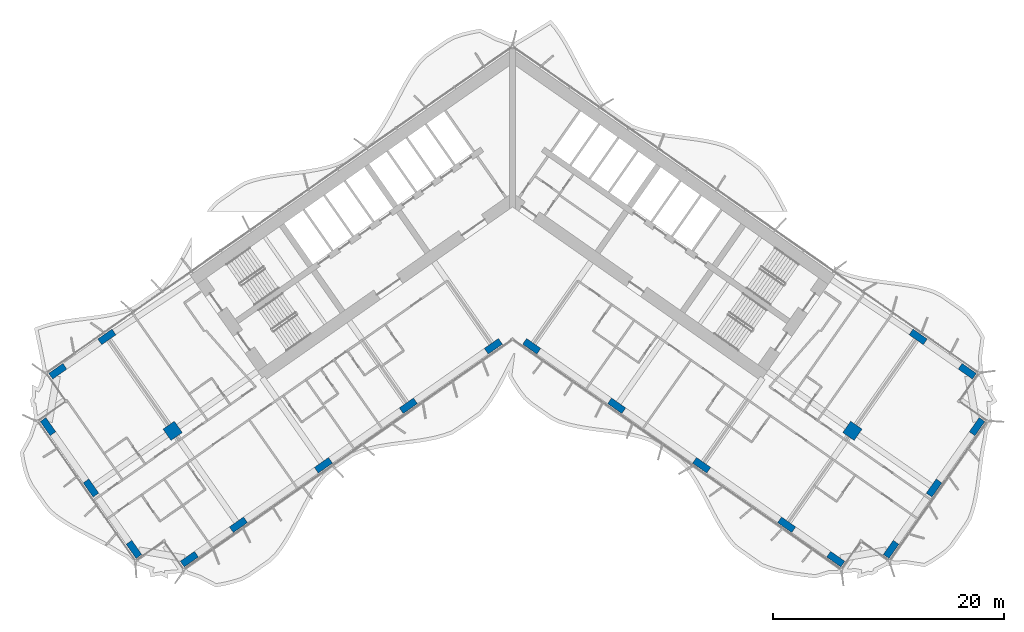
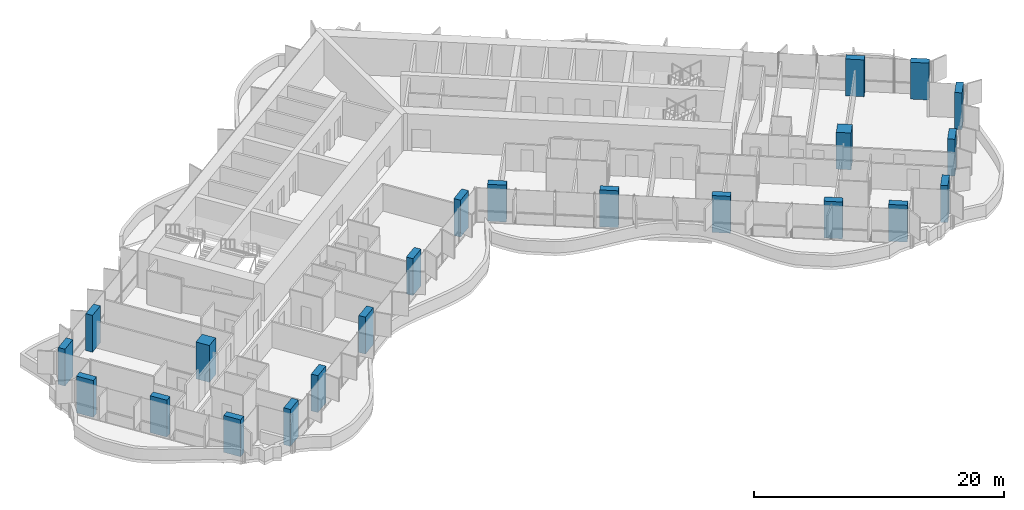
# One storey, part 1 of 23: 22 columns.
"""IFC4 building model written with IfcOpenShell, lengths in metres."""

import ifcopenshell
import ifcopenshell.guid

model = None  # the IFC model being written
_history = None  # IfcOwnerHistory: only IFC2X3 demands one
_inside = {}  # id of a spatial element -> (the spatial element, [elements in it])
_under = {}  # id of a project, library or spatial element -> (it, [spatial elements below it])
_declared = {}  # id of a project -> (the project, [libraries it declares])
_typed = {}  # id of a type object -> (the type object, [elements of that type])
_made_of = {}  # id of a material, layer set ... -> (it, [elements and type objects made of it])


def new_model(schema):
    """Start an empty IFC model of exactly this schema.

    Asked for "IFC4X3", IfcOpenShell would pick the latest addendum, in which some entities
    have other attributes; the version numbers below select the first issue.
    IFC2X3 requires an IfcOwnerHistory on every rooted entity: one is made here for all.
    """
    global model, _history
    if schema == "IFC4X3":
        model = ifcopenshell.file(schema_version=(4, 3, 0, 0))
    else:
        model = ifcopenshell.file(schema=schema)
    _inside.clear()
    _under.clear()
    _declared.clear()
    _typed.clear()
    _made_of.clear()
    _history = None
    if model.schema == "IFC2X3":
        org = make("IfcOrganization", Name="unknown")
        user = make(
            "IfcPersonAndOrganization",
            ThePerson=make("IfcPerson", FamilyName="unknown"),
            TheOrganization=org,
        )
        app = make(
            "IfcApplication",
            ApplicationDeveloper=org,
            Version="unknown",
            ApplicationFullName="unknown",
            ApplicationIdentifier="unknown",
        )
        _history = make(
            "IfcOwnerHistory",
            OwningUser=user,
            OwningApplication=app,
            ChangeAction="ADDED",
            CreationDate=0,
        )
    return model


def make(cls, **values):
    """One entity of the class cls with the attributes given. An attribute that is None is left unset."""
    return model.create_entity(
        cls, **{name: value for name, value in values.items() if value is not None}
    )


def rooted(cls, **values):
    """An entity with a GlobalId (a new one), such as an element, a storey or a relation."""
    return make(cls, GlobalId=ifcopenshell.guid.new(), OwnerHistory=_history, **values)


def si_unit(unit_type, name, prefix=None):
    """IfcSIUnit, for example si_unit("LENGTHUNIT", "METRE", prefix="MILLI")."""
    return make("IfcSIUnit", UnitType=unit_type, Prefix=prefix, Name=name)


def assignment(units):
    """IfcUnitAssignment: the units of a project."""
    return None if units is None else make("IfcUnitAssignment", Units=units)


def point(xyz):
    """IfcCartesianPoint."""
    return None if xyz is None else make("IfcCartesianPoint", Coordinates=xyz)


def direction(xyz):
    """IfcDirection."""
    return None if xyz is None else make("IfcDirection", DirectionRatios=xyz)


def frame(location, z_axis=None, x_axis=None):
    """IfcAxis2Placement3D, a coordinate frame: its origin and axes. An axis left out is left unset."""
    return make(
        "IfcAxis2Placement3D",
        Location=point(location),
        Axis=direction(z_axis),
        RefDirection=direction(x_axis),
    )


def frame_2d(location, x_axis=None):
    """IfcAxis2Placement2D, a coordinate frame in the plane: its origin and x axis."""
    return make(
        "IfcAxis2Placement2D", Location=point(location), RefDirection=direction(x_axis)
    )


def origin():
    """The frame at (0, 0, 0) with its axes left unset."""
    return frame((0.0, 0.0, 0.0))


def origin_2d():
    """The frame at (0, 0) in the plane with its x axis left unset."""
    return frame_2d((0.0, 0.0))


def place(relative_to, where):
    """IfcLocalPlacement: puts the frame where relative to a parent placement (None: the world)."""
    return make(
        "IfcLocalPlacement", PlacementRelTo=relative_to, RelativePlacement=where
    )


def context(
    kind, dimensions, precision=None, world=None, true_north=None, identifier=None
):
    """IfcGeometricRepresentationContext, for example the 3D "Model" context."""
    return make(
        "IfcGeometricRepresentationContext",
        ContextIdentifier=identifier,
        ContextType=kind,
        CoordinateSpaceDimension=dimensions,
        Precision=precision,
        WorldCoordinateSystem=world,
        TrueNorth=true_north,
    )


def subcontext(parent, identifier, kind, view, scale=None):
    """IfcGeometricRepresentationSubContext, for example "Body" below "Model"."""
    return make(
        "IfcGeometricRepresentationSubContext",
        ContextIdentifier=identifier,
        ContextType=kind,
        ParentContext=parent,
        TargetScale=scale,
        TargetView=view,
    )


def project(units=None, contexts=None):
    """IfcProject with its units and contexts."""
    return rooted(
        "IfcProject",
        Name="project",
        RepresentationContexts=contexts,
        UnitsInContext=assignment(units),
    )


def spatial(cls, under=None, at=None, **own):
    """A site, building, storey or space (cls), placed at a placement, below another one or the project."""
    s = rooted(cls, ObjectPlacement=at, **own)
    if under is not None:
        _under.setdefault(under.id(), (under, []))[1].append(s)
    return s


def profile(cls, at=None, kind="AREA", **sizes):
    """A parametric profile (cls). Its sizes go by their IFC names, for example OverallWidth=200.0."""
    return make(cls, ProfileType=kind, Position=at, **sizes)


def rectangle(**sizes):
    """IfcRectangleProfileDef."""
    return profile("IfcRectangleProfileDef", **sizes)


def extrude(swept, where, along, depth):
    """IfcExtrudedAreaSolid: the profile swept, set in the frame where, extruded along a direction by depth."""
    return make(
        "IfcExtrudedAreaSolid",
        SweptArea=swept,
        Position=where,
        ExtrudedDirection=direction(along),
        Depth=depth,
    )


def shape(context_of_items, identifier, shape_type, items):
    """IfcShapeRepresentation: the items that make up one representation, for example the "Body"."""
    return make(
        "IfcShapeRepresentation",
        ContextOfItems=context_of_items,
        RepresentationIdentifier=identifier,
        RepresentationType=shape_type,
        Items=items,
    )


def material(Name=None, Category=None):
    """IfcMaterial."""
    return make("IfcMaterial", Name=Name, Category=Category)


def material_profile(
    of_material, cross_section, Name=None, Category=None, Priority=None
):
    """IfcMaterialProfile: a cross section and its material."""
    return make(
        "IfcMaterialProfile",
        Name=Name,
        Material=of_material,
        Profile=cross_section,
        Priority=Priority,
        Category=Category,
    )


def profile_set(profiles, Name=None, composite=None):
    """IfcMaterialProfileSet."""
    return make(
        "IfcMaterialProfileSet",
        Name=Name,
        MaterialProfiles=profiles,
        CompositeProfile=composite,
    )


def made_of(thing, what):
    """Note that an element or type object is made of a material, layer set ...; save() writes the relation."""
    if what is not None:
        _made_of.setdefault(what.id(), (what, []))[1].append(thing)
    return thing


def type_object(cls, material=None, **own):
    """A type object (cls), such as IfcWallType, which elements share."""
    return made_of(rooted(cls, **own), material)


def element(
    cls,
    number,
    at=None,
    inside=None,
    cuts=None,
    type_object=None,
    material=None,
    context=None,
    identifier="Body",
    shape_type=None,
    held_by="IfcProductDefinitionShape",
    body=None,
    shapes=None,
    **own,
):
    """One element of the class cls, such as IfcWall. Its Tag is "e" and its number.

    at: its placement. inside: the storey or other place that contains it. cuts: it is an
    opening in that element (IfcRelVoidsElement). A single representation is given by context,
    identifier, shape_type and body (its items); several are given by shapes. held_by: the class
    of the entity that holds the representations. save() writes the other relations.
    """
    e = rooted(cls, Tag="e%d" % number, ObjectPlacement=at, **own)
    if body is not None:
        shapes = [shape(context, identifier, shape_type, body)]
    if shapes is not None:
        e.Representation = make(held_by, Representations=shapes)
    if inside is not None:
        _inside.setdefault(inside.id(), (inside, []))[1].append(e)
    if cuts is not None:
        rooted(
            "IfcRelVoidsElement", RelatingBuildingElement=cuts, RelatedOpeningElement=e
        )
    if type_object is not None:
        _typed.setdefault(type_object.id(), (type_object, []))[1].append(e)
    return made_of(e, material)


def aggregate(whole, parts):
    """IfcRelAggregates: a whole, such as a stair, and the parts it consists of."""
    return rooted("IfcRelAggregates", RelatingObject=whole, RelatedObjects=parts)


def save(model, path):
    """Write the relations noted so far, then the file.

    IfcRelAggregates (storeys below a building ...), IfcRelContainedInSpatialStructure (elements
    in a storey), IfcRelDefinesByType, IfcRelAssociatesMaterial and IfcRelDeclares: one each for
    every whole, place, type object, material and project.
    """
    for whole, parts in _under.values():
        aggregate(whole, parts)
    for where, things in _inside.values():
        rooted(
            "IfcRelContainedInSpatialStructure",
            RelatedElements=things,
            RelatingStructure=where,
        )
    for kind, things in _typed.values():
        rooted("IfcRelDefinesByType", RelatedObjects=things, RelatingType=kind)
    for what, things in _made_of.values():
        rooted("IfcRelAssociatesMaterial", RelatedObjects=things, RelatingMaterial=what)
    for by, libraries in _declared.values():
        rooted("IfcRelDeclares", RelatingContext=by, RelatedDefinitions=libraries)
    model.write(path)


model = new_model("IFC4")

# Units and contexts
model_context = context("Model", 3, precision=1e-05, world=origin(), true_north=direction((0.0, 1.0)))
body_context = subcontext(model_context, "Body", "Model", "MODEL_VIEW")
ifc_project = project(units=[si_unit("LENGTHUNIT", "METRE"), si_unit("AREAUNIT", "SQUARE_METRE"), si_unit("VOLUMEUNIT", "CUBIC_METRE"), si_unit("PLANEANGLEUNIT", "RADIAN"), si_unit("MASSUNIT", "GRAM", prefix="KILO")], contexts=[model_context])

# Site, building, storey
site_placement = place(None, origin())
site = spatial("IfcSite", under=ifc_project, at=site_placement, CompositionType="ELEMENT")
building_placement = place(site_placement, origin())
building = spatial("IfcBuilding", under=site, at=building_placement, Name="Tel Ilan Convention Tower", CompositionType="ELEMENT")
storey_placement = place(building_placement, frame((0.0, 0.0, 104.89990234375)))
storey = spatial("IfcBuildingStorey", under=building, at=storey_placement, Name="L22", CompositionType="ELEMENT", Elevation=104.89990234375)

# Columns
ifc_material_1 = material(Name="Concrete C60/75", Category="concrete")
ifc_material_profile_1 = material_profile(ifc_material_1, rectangle(XDim=1.199951171875, YDim=1.199951171875, at=origin_2d()), Name="RC 1200x1200")
ifc_profile_set_1 = profile_set([ifc_material_profile_1], Name="Concrete C60/75")
column_type_1 = type_object("IfcColumnType", Name="Column RC 1200x1200 C60/75", PredefinedType="COLUMN", material=ifc_profile_set_1)
for number, where, z_axis, x_axis, name in (
    (1, (-29.489501953125, -20.648681640625, 0.0), (0.0, 0.0, 1.0), (-0.819152044289, -0.573576436351, 0.0), "L22 column W-M4"),
    (2, (29.489501953125, -20.648681640625, 0.0), (0.0, 0.0, 1.0), (0.819152044289, -0.573576436351, 0.0), "L22 column E-M4"),
):
    element("IfcColumn", number, at=place(storey_placement, frame(where, z_axis=z_axis, x_axis=x_axis)), inside=storey, type_object=column_type_1, Name=name, PredefinedType="COLUMN", context=body_context, shape_type="SweptSolid", body=[
        extrude(rectangle(XDim=1.199951171875, YDim=1.199951171875, at=origin_2d()), origin(), (0.0, 0.0, 1.0), 3.60009765625),
    ])
ifc_material_2 = material(Name="Concrete C60/75", Category="concrete")
ifc_material_profile_2 = material_profile(ifc_material_2, rectangle(XDim=1.5, YDim=0.60009765625, at=origin_2d()), Name="RC 600x1500")
ifc_profile_set_2 = profile_set([ifc_material_profile_2], Name="Concrete C60/75")
column_type_2 = type_object("IfcColumnType", Name="Column RC 600x1500 C60/75", PredefinedType="COLUMN", material=ifc_profile_set_2)
for number, where, z_axis, x_axis, name in (
    (3, (-1.665283203125, -13.312744140625, 0.0), (0.0, 0.0, 1.0), (-0.819152044289, -0.573576436351, 0.0), "L22 column W-F1"),
    (4, (-9.03759765625, -18.474853515625, 0.0), (0.0, 0.0, 1.0), (-0.819152044289, -0.573576436351, 0.0), "L22 column W-F2"),
    (5, (-16.409912109375, -23.63720703125, 0.0), (0.0, 0.0, 1.0), (-0.819152044289, -0.573576436351, 0.0), "L22 column W-F3"),
    (6, (-23.782470703125, -28.79931640625, 0.0), (0.0, 0.0, 1.0), (-0.819152044289, -0.573576436351, 0.0), "L22 column W-F4"),
    (7, (-28.0419921875, -31.781982421875, 0.0), (0.0, 0.0, 1.0), (-0.819152044289, -0.573576436351, 0.0), "L22 column W-FC"),
    (8, (-35.196533203125, -12.498291015625, 0.0), (0.0, 0.0, 1.0), (-0.819152044289, -0.573576436351, 0.0), "L22 column W-B4"),
    (9, (-39.4560546875, -15.480712890625, 0.0), (0.0, 0.0, 1.0), (-0.819152044289, -0.573576436351, 0.0), "L22 column W-BC"),
    (10, (-32.846923828125, -30.934814453125, 0.0), (0.0, 0.0, 1.0), (-0.573576436351, 0.819152044289, 0.0), "L22 column W-E1"),
    (11, (-36.5751953125, -25.610107421875, 0.0), (0.0, 0.0, 1.0), (-0.573576436351, 0.819152044289, 0.0), "L22 column W-E2"),
    (12, (-40.303466796875, -20.28564453125, 0.0), (0.0, 0.0, 1.0), (-0.573576436351, 0.819152044289, 0.0), "L22 column W-E3"),
    (13, (1.665283203125, -13.312744140625, 0.0), (0.0, 0.0, 1.0), (0.819152044289, -0.573576436351, 0.0), "L22 column E-F1"),
    (14, (9.03759765625, -18.474853515625, 0.0), (0.0, 0.0, 1.0), (0.819152044289, -0.573576436351, 0.0), "L22 column E-F2"),
    (15, (16.409912109375, -23.63720703125, 0.0), (0.0, 0.0, 1.0), (0.819152044289, -0.573576436351, 0.0), "L22 column E-F3"),
    (16, (23.782470703125, -28.79931640625, 0.0), (0.0, 0.0, 1.0), (0.819152044289, -0.573576436351, 0.0), "L22 column E-F4"),
    (17, (28.0419921875, -31.781982421875, 0.0), (0.0, 0.0, 1.0), (0.819152044289, -0.573576436351, 0.0), "L22 column E-FC"),
    (18, (35.196533203125, -12.498291015625, 0.0), (0.0, 0.0, 1.0), (0.819152044289, -0.573576436351, 0.0), "L22 column E-B4"),
    (19, (39.4560546875, -15.480712890625, 0.0), (0.0, 0.0, 1.0), (0.819152044289, -0.573576436351, 0.0), "L22 column E-BC"),
    (20, (32.846923828125, -30.934814453125, 0.0), (0.0, 0.0, 1.0), (0.573576436351, 0.819152044289, 0.0), "L22 column E-E1"),
    (21, (36.5751953125, -25.610107421875, 0.0), (0.0, 0.0, 1.0), (0.573576436351, 0.819152044289, 0.0), "L22 column E-E2"),
    (22, (40.303466796875, -20.28564453125, 0.0), (0.0, 0.0, 1.0), (0.573576436351, 0.819152044289, 0.0), "L22 column E-E3"),
):
    element("IfcColumn", number, at=place(storey_placement, frame(where, z_axis=z_axis, x_axis=x_axis)), inside=storey, type_object=column_type_2, Name=name, PredefinedType="COLUMN", context=body_context, shape_type="SweptSolid", body=[
        extrude(rectangle(XDim=1.5, YDim=0.60009765625, at=origin_2d()), origin(), (0.0, 0.0, 1.0), 3.60009765625),
    ])

save(model, "model.ifc")
